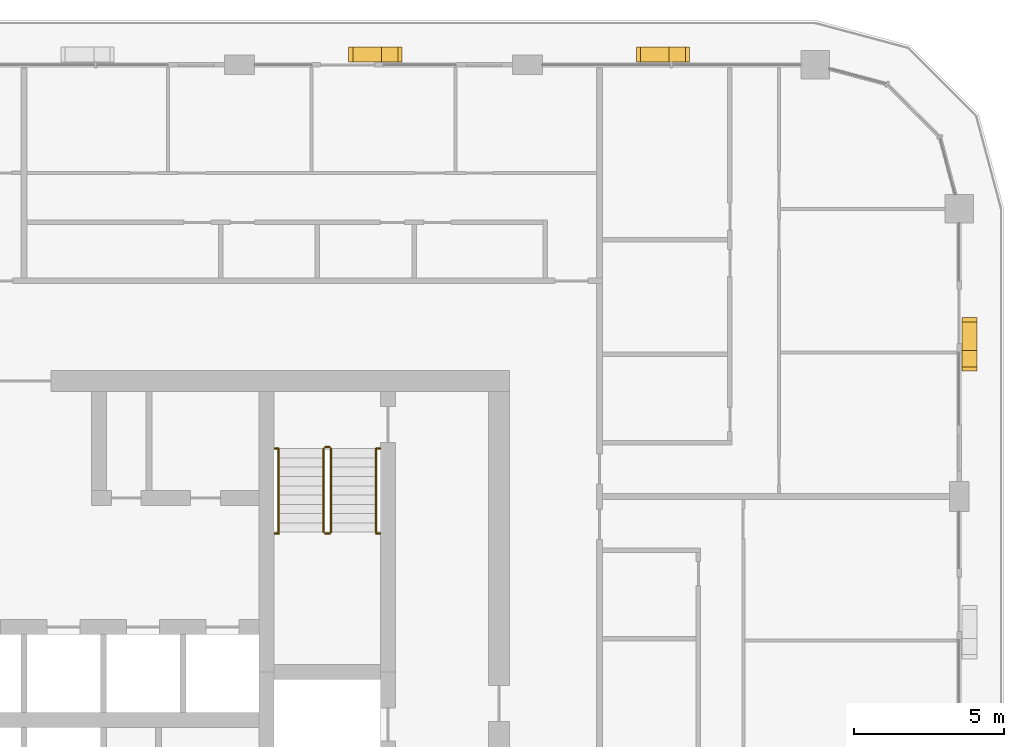
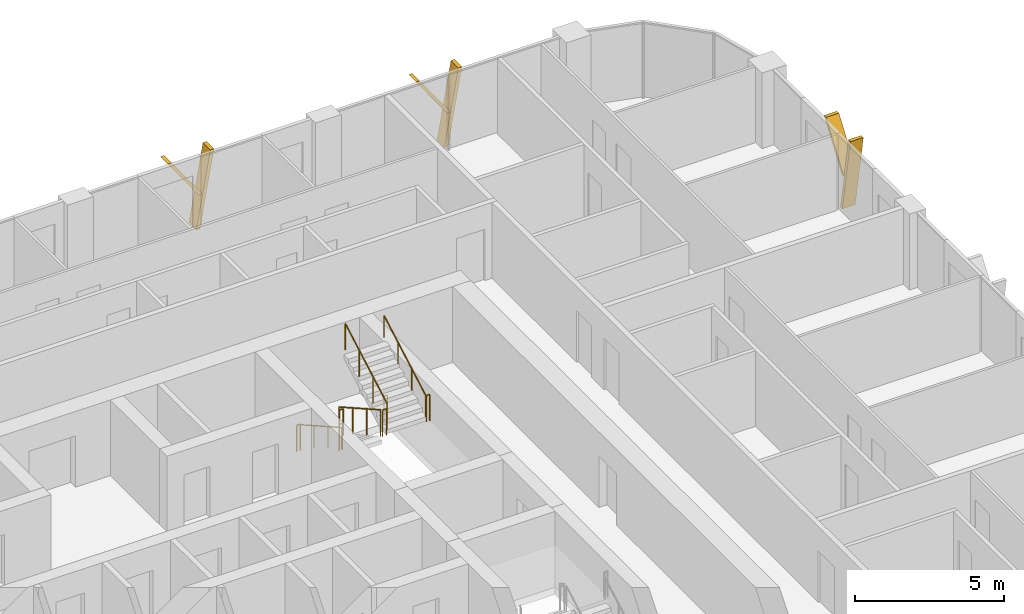
# One storey, part 22 of 22: 10 railings, 6 shading devices.
"""IFC4 building model written with IfcOpenShell, lengths in metres."""

from ifc_helpers import new_model, si_unit, direction, frame, origin, origin_2d, place, context, subcontext, project, spatial, polyline, circle, outline, extrude, material, type_object, element, save


model = new_model("IFC4")

# Units and contexts
model_context = context("Model", 3, precision=1e-05, world=origin(), true_north=direction((0.0, 1.0)))
body_context = subcontext(model_context, "Body", "Model", "MODEL_VIEW")
ifc_project = project(units=[si_unit("LENGTHUNIT", "METRE"), si_unit("AREAUNIT", "SQUARE_METRE"), si_unit("VOLUMEUNIT", "CUBIC_METRE"), si_unit("PLANEANGLEUNIT", "RADIAN"), si_unit("MASSUNIT", "GRAM", prefix="KILO")], contexts=[model_context])

# Site, building, storey
site_placement = place(None, origin())
site = spatial("IfcSite", under=ifc_project, at=site_placement, CompositionType="ELEMENT")
building_placement = place(site_placement, origin())
building = spatial("IfcBuilding", under=site, at=building_placement, Name="Madar Terraces", CompositionType="ELEMENT")
storey_placement = place(building_placement, frame((0.0, 0.0, 199.89990234375)))
storey = spatial("IfcBuildingStorey", under=building, at=storey_placement, Name="L52", CompositionType="ELEMENT", Elevation=199.89990234375)

# Shading devices
ifc_material_1 = material(Name="Aluminium, black anodised", Category="aluminium")
shading_device_type = type_object("IfcShadingDeviceType", Name="Facade fin blade 140 x 500", PredefinedType="USERDEFINED", material=ifc_material_1)
shading_device_1_placement = place(storey_placement, frame((62.75, 38.330078125, 0.0), z_axis=(0.0, 0.0, 1.0), x_axis=(0.0, 1.0, 0.0)))
element("IfcShadingDevice", 1, at=shading_device_1_placement, inside=storey, type_object=shading_device_type, Name="FIN L52 E4", ObjectType="FIN", PredefinedType="USERDEFINED", context=body_context, shape_type="SweptSolid", body=[
    extrude(outline(polyline([(0.0, 0.0), (0.139892578125, 0.0), (-0.403076171875, 3.080078125), (-0.54296875, 3.080078125), (0.0, 0.0)])), frame((0.0, 0.25, 0.0), z_axis=(0.0, -1.0, 0.0), x_axis=(1.0, 0.0, 0.0)), (0.0, 0.0, 1.0), 0.5),
])
shading_device_2_placement = place(storey_placement, frame((62.75, 38.2255859375, 1.385986328125), z_axis=(0.0, 0.0, 1.0), x_axis=(0.0, 1.0, 0.0)))
element("IfcShadingDevice", 2, at=shading_device_2_placement, inside=storey, type_object=shading_device_type, Name="FIN L52 E4 branch", ObjectType="FIN", PredefinedType="USERDEFINED", context=body_context, shape_type="SweptSolid", body=[
    extrude(outline(polyline([(0.0, 0.0), (0.14013671875, 0.0), (1.34130859375, 1.694091796875), (1.201416015625, 1.694091796875), (0.0, 0.0)])), frame((0.0, 0.25, 0.0), z_axis=(0.0, -1.0, 0.0), x_axis=(1.0, 0.0, 0.0)), (0.0, 0.0, 1.0), 0.5),
])
shading_device_3_placement = place(storey_placement, frame((52.8701171875, 48.35009765625, 0.0), z_axis=(0.0, 0.0, 1.0), x_axis=(-1.0, 0.0, 0.0)))
element("IfcShadingDevice", 3, at=shading_device_3_placement, inside=storey, type_object=shading_device_type, Name="FIN L52 N1", ObjectType="FIN", PredefinedType="USERDEFINED", context=body_context, shape_type="SweptSolid", body=[
    extrude(outline(polyline([(0.0, 0.0), (0.14013671875, 0.0), (-0.403076171875, 3.080078125), (-0.54296875, 3.080078125), (0.0, 0.0)])), frame((0.0, 0.25, 0.0), z_axis=(0.0, -1.0, 0.0), x_axis=(1.0, 0.0, 0.0)), (0.0, 0.0, 1.0), 0.5),
])
shading_device_4_placement = place(storey_placement, frame((52.974365234375, 48.35009765625, 1.385986328125), z_axis=(0.0, 0.0, 1.0), x_axis=(-1.0, 0.0, 0.0)))
element("IfcShadingDevice", 4, at=shading_device_4_placement, inside=storey, type_object=shading_device_type, Name="FIN L52 N1 branch", ObjectType="FIN", PredefinedType="USERDEFINED", context=body_context, shape_type="SweptSolid", body=[
    extrude(outline(polyline([(0.0, 0.0), (0.139892578125, 0.0), (1.34130859375, 1.694091796875), (1.201416015625, 1.694091796875), (0.0, 0.0)])), frame((0.0, 0.25, 0.0), z_axis=(0.0, -1.0, 0.0), x_axis=(1.0, 0.0, 0.0)), (0.0, 0.0, 1.0), 0.5),
])
shading_device_5_placement = place(storey_placement, frame((43.27001953125, 48.35009765625, 0.0), z_axis=(0.0, 0.0, 1.0), x_axis=(-1.0, 0.0, 0.0)))
element("IfcShadingDevice", 5, at=shading_device_5_placement, inside=storey, type_object=shading_device_type, Name="FIN L52 N2", ObjectType="FIN", PredefinedType="USERDEFINED", context=body_context, shape_type="SweptSolid", body=[
    extrude(outline(polyline([(0.0, 0.0), (0.14013671875, 0.0), (-0.403076171875, 3.080078125), (-0.54296875, 3.080078125), (0.0, 0.0)])), frame((0.0, 0.25, 0.0), z_axis=(0.0, -1.0, 0.0), x_axis=(1.0, 0.0, 0.0)), (0.0, 0.0, 1.0), 0.5),
])
shading_device_6_placement = place(storey_placement, frame((43.374267578125, 48.35009765625, 1.385986328125), z_axis=(0.0, 0.0, 1.0), x_axis=(-1.0, 0.0, 0.0)))
element("IfcShadingDevice", 6, at=shading_device_6_placement, inside=storey, type_object=shading_device_type, Name="FIN L52 N2 branch", ObjectType="FIN", PredefinedType="USERDEFINED", context=body_context, shape_type="SweptSolid", body=[
    extrude(outline(polyline([(0.0, 0.0), (0.139892578125, 0.0), (1.34130859375, 1.694091796875), (1.201416015625, 1.694091796875), (0.0, 0.0)])), frame((0.0, 0.25, 0.0), z_axis=(0.0, -1.0, 0.0), x_axis=(1.0, 0.0, 0.0)), (0.0, 0.0, 1.0), 0.5),
])

# Railings
ifc_material_2 = material(Name="Stainless steel railing", Category="steel")
railing_type_1 = type_object("IfcRailingType", Name="Stair guard 1100", PredefinedType="GUARDRAIL", material=ifc_material_2)
railing_1_placement = place(storey_placement, frame((41.199951171875, 35.199951171875, 0.175048828125)))
element("IfcRailing", 7, at=railing_1_placement, inside=storey, type_object=railing_type_1, Name="L52 ST2 stair guard 1", PredefinedType="GUARDRAIL", context=body_context, shape_type="SweptSolid", body=[
    extrude(circle(Radius=0.02392578125, at=origin_2d()), frame((0.0, 0.0, 1.076171875), z_axis=(0.0, -0.870833779661, 0.491577591232), x_axis=(1.0, 0.0, 0.0)), (0.0, 0.0, 1.0), 3.203857421875),
    extrude(circle(Radius=0.02099609375, at=origin_2d()), origin(), (0.0, 0.0, 1.0), 1.052001953125),
    extrude(circle(Radius=0.02099609375, at=origin_2d()), frame((0.0, -0.929931640625, 0.52490234375)), (0.0, 0.0, 1.0), 1.052001953125),
    extrude(circle(Radius=0.02099609375, at=origin_2d()), frame((0.0, -1.860107421875, 1.050048828125)), (0.0, 0.0, 1.0), 1.052001953125),
    extrude(circle(Radius=0.02099609375, at=origin_2d()), frame((0.0, -2.7900390625, 1.574951171875)), (0.0, 0.0, 1.0), 1.052001953125),
])
railing_2_placement = place(storey_placement, frame((41.25, 32.360107421875, 1.75)))
element("IfcRailing", 8, at=railing_2_placement, inside=storey, type_object=railing_type_1, Name="L52 ST2 stair guard 2", PredefinedType="GUARDRAIL", context=body_context, shape_type="SweptSolid", body=[
    extrude(circle(Radius=0.02392578125, at=origin_2d()), frame((0.0, 0.0, 1.076171875), z_axis=(1.0, 0.0, 0.0), x_axis=(0.0, 1.0, 0.0)), (0.0, 0.0, 1.0), 0.14990234375),
    extrude(circle(Radius=0.02099609375, at=origin_2d()), origin(), (0.0, 0.0, 1.0), 1.052001953125),
    extrude(circle(Radius=0.02099609375, at=origin_2d()), frame((0.14990234375, 0.0, 0.0)), (0.0, 0.0, 1.0), 1.052001953125),
])
railing_3_placement = place(storey_placement, frame((41.449951171875, 32.409912109375, 1.925048828125)))
element("IfcRailing", 9, at=railing_3_placement, inside=storey, type_object=railing_type_1, Name="L52 ST2 stair guard 3", PredefinedType="GUARDRAIL", context=body_context, shape_type="SweptSolid", body=[
    extrude(circle(Radius=0.02392578125, at=origin_2d()), frame((0.0, 0.0, 1.076171875), z_axis=(0.0, 0.870833779661, 0.491577591232), x_axis=(-1.0, 0.0, 0.0)), (0.0, 0.0, 1.0), 3.203857421875),
    extrude(circle(Radius=0.02099609375, at=origin_2d()), origin(), (0.0, 0.0, 1.0), 1.052001953125),
    extrude(circle(Radius=0.02099609375, at=origin_2d()), frame((0.0, 0.929931640625, 0.52490234375)), (0.0, 0.0, 1.0), 1.052001953125),
    extrude(circle(Radius=0.02099609375, at=origin_2d()), frame((0.0, 1.860107421875, 1.050048828125)), (0.0, 0.0, 1.0), 1.052001953125),
    extrude(circle(Radius=0.02099609375, at=origin_2d()), frame((0.0, 2.7900390625, 1.574951171875)), (0.0, 0.0, 1.0), 1.052001953125),
])
railing_4_placement = place(storey_placement, frame((41.25, 35.25, 0.0)))
element("IfcRailing", 10, at=railing_4_placement, inside=storey, type_object=railing_type_1, Name="L52 ST2 stair guard 4", PredefinedType="GUARDRAIL", context=body_context, shape_type="SweptSolid", body=[
    extrude(circle(Radius=0.02392578125, at=origin_2d()), frame((0.0, 0.0, 1.076171875), z_axis=(1.0, 0.0, 0.0), x_axis=(0.0, 1.0, 0.0)), (0.0, 0.0, 1.0), 0.14990234375),
    extrude(circle(Radius=0.02099609375, at=origin_2d()), origin(), (0.0, 0.0, 1.0), 1.052001953125),
    extrude(circle(Radius=0.02099609375, at=origin_2d()), frame((0.14990234375, 0.0, 0.0)), (0.0, 0.0, 1.0), 1.052001953125),
])
railing_5_placement = place(storey_placement, frame((39.570068359375, 32.360107421875, 1.75)))
element("IfcRailing", 11, at=railing_5_placement, inside=storey, type_object=railing_type_1, Name="L52 stair guard seat 1", PredefinedType="GUARDRAIL", context=body_context, shape_type="SweptSolid", body=[
    extrude(circle(Radius=0.02392578125, at=origin_2d()), frame((0.0, 0.0, 1.076171875), z_axis=(1.0, 0.0, 0.0), x_axis=(0.0, 1.0, 0.0)), (0.0, 0.0, 1.0), 0.1298828125),
    extrude(circle(Radius=0.02099609375, at=origin_2d()), origin(), (0.0, 0.0, 1.0), 1.052001953125),
    extrude(circle(Radius=0.02099609375, at=origin_2d()), frame((0.1298828125, 0.0, 0.0)), (0.0, 0.0, 1.0), 1.052001953125),
])
railing_6_placement = place(storey_placement, frame((42.949951171875, 32.360107421875, 1.75)))
element("IfcRailing", 12, at=railing_6_placement, inside=storey, type_object=railing_type_1, Name="L52 stair guard seat 2", PredefinedType="GUARDRAIL", context=body_context, shape_type="SweptSolid", body=[
    extrude(circle(Radius=0.02392578125, at=origin_2d()), frame((0.0, 0.0, 1.076171875), z_axis=(1.0, 0.0, 0.0), x_axis=(0.0, 1.0, 0.0)), (0.0, 0.0, 1.0), 0.130126953125),
    extrude(circle(Radius=0.02099609375, at=origin_2d()), origin(), (0.0, 0.0, 1.0), 1.052001953125),
    extrude(circle(Radius=0.02099609375, at=origin_2d()), frame((0.130126953125, 0.0, 0.0)), (0.0, 0.0, 1.0), 1.052001953125),
])
railing_7_placement = place(storey_placement, frame((39.570068359375, 35.199951171875, 0.0)))
element("IfcRailing", 13, at=railing_7_placement, inside=storey, type_object=railing_type_1, Name="L52 stair guard floor 1", PredefinedType="GUARDRAIL", context=body_context, shape_type="SweptSolid", body=[
    extrude(circle(Radius=0.02392578125, at=origin_2d()), frame((0.0, 0.0, 1.076171875), z_axis=(1.0, 0.0, 0.0), x_axis=(0.0, 1.0, 0.0)), (0.0, 0.0, 1.0), 0.1298828125),
    extrude(circle(Radius=0.02099609375, at=origin_2d()), origin(), (0.0, 0.0, 1.0), 1.052001953125),
    extrude(circle(Radius=0.02099609375, at=origin_2d()), frame((0.1298828125, 0.0, 0.0)), (0.0, 0.0, 1.0), 1.052001953125),
])
railing_8_placement = place(storey_placement, frame((42.949951171875, 35.199951171875, 0.0)))
element("IfcRailing", 14, at=railing_8_placement, inside=storey, type_object=railing_type_1, Name="L52 stair guard floor 2", PredefinedType="GUARDRAIL", context=body_context, shape_type="SweptSolid", body=[
    extrude(circle(Radius=0.02392578125, at=origin_2d()), frame((0.0, 0.0, 1.076171875), z_axis=(1.0, 0.0, 0.0), x_axis=(0.0, 1.0, 0.0)), (0.0, 0.0, 1.0), 0.130126953125),
    extrude(circle(Radius=0.02099609375, at=origin_2d()), origin(), (0.0, 0.0, 1.0), 1.052001953125),
    extrude(circle(Radius=0.02099609375, at=origin_2d()), frame((0.130126953125, 0.0, 0.0)), (0.0, 0.0, 1.0), 1.052001953125),
])
ifc_material_3 = material(Name="Stainless steel railing", Category="steel")
railing_type_2 = type_object("IfcRailingType", Name="Stair handrail 900", PredefinedType="HANDRAIL", material=ifc_material_3)
railing_9_placement = place(storey_placement, frame((39.699951171875, 35.199951171875, 0.175048828125)))
element("IfcRailing", 15, at=railing_9_placement, inside=storey, type_object=railing_type_2, Name="L52 ST2 stair handrail 1", PredefinedType="HANDRAIL", context=body_context, shape_type="SweptSolid", body=[
    extrude(circle(Radius=0.02392578125, at=origin_2d()), frame((0.0, 0.0, 0.8759765625), z_axis=(0.0, -0.870833779661, 0.491577591232), x_axis=(1.0, 0.0, 0.0)), (0.0, 0.0, 1.0), 3.203857421875),
    extrude(circle(Radius=0.02099609375, at=origin_2d()), origin(), (0.0, 0.0, 1.0), 0.851806640625),
    extrude(circle(Radius=0.02099609375, at=origin_2d()), frame((0.0, -0.929931640625, 0.52490234375)), (0.0, 0.0, 1.0), 0.851806640625),
    extrude(circle(Radius=0.02099609375, at=origin_2d()), frame((0.0, -1.860107421875, 1.050048828125)), (0.0, 0.0, 1.0), 0.851806640625),
    extrude(circle(Radius=0.02099609375, at=origin_2d()), frame((0.0, -2.7900390625, 1.574951171875)), (0.0, 0.0, 1.0), 0.851806640625),
])
railing_10_placement = place(storey_placement, frame((42.949951171875, 32.409912109375, 1.925048828125)))
element("IfcRailing", 16, at=railing_10_placement, inside=storey, type_object=railing_type_2, Name="L52 ST2 stair handrail 2", PredefinedType="HANDRAIL", context=body_context, shape_type="SweptSolid", body=[
    extrude(circle(Radius=0.02392578125, at=origin_2d()), frame((0.0, 0.0, 0.8759765625), z_axis=(0.0, 0.870833779661, 0.491577591232), x_axis=(-1.0, 0.0, 0.0)), (0.0, 0.0, 1.0), 3.203857421875),
    extrude(circle(Radius=0.02099609375, at=origin_2d()), origin(), (0.0, 0.0, 1.0), 0.851806640625),
    extrude(circle(Radius=0.02099609375, at=origin_2d()), frame((0.0, 0.929931640625, 0.52490234375)), (0.0, 0.0, 1.0), 0.851806640625),
    extrude(circle(Radius=0.02099609375, at=origin_2d()), frame((0.0, 1.860107421875, 1.050048828125)), (0.0, 0.0, 1.0), 0.851806640625),
    extrude(circle(Radius=0.02099609375, at=origin_2d()), frame((0.0, 2.7900390625, 1.574951171875)), (0.0, 0.0, 1.0), 0.851806640625),
])

save(model, "model.ifc")
